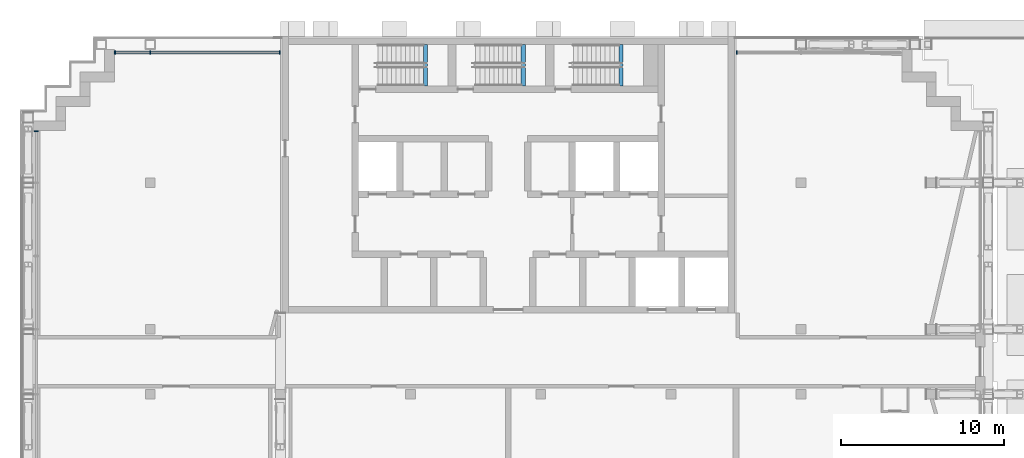
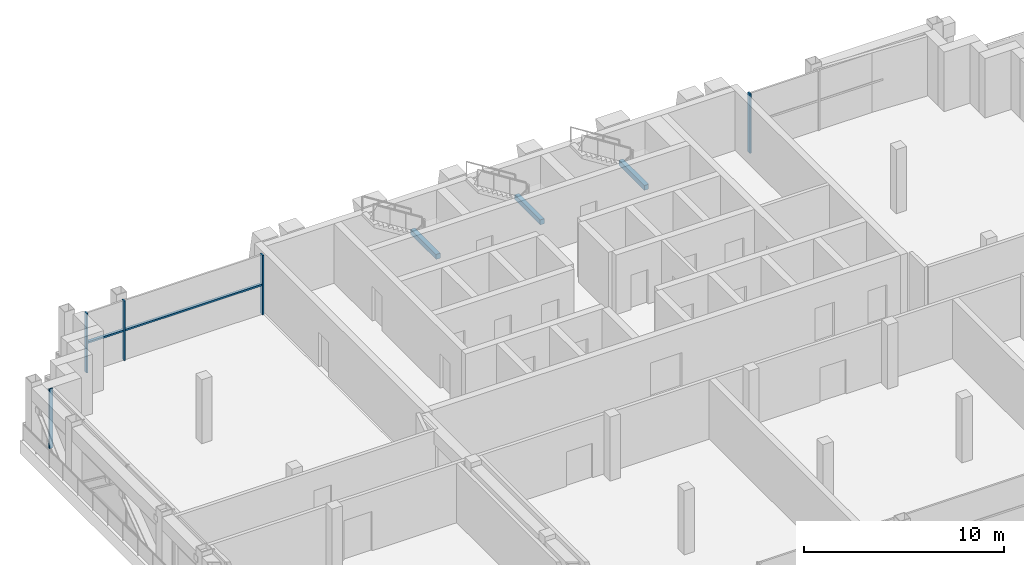
# One storey, part 4 of 21: 7 members, 3 beams, 3 elements without a shape of their own.
"""IFC4 building model written with IfcOpenShell, lengths in metres."""

from ifc_helpers import new_model, si_unit, direction, frame, origin, origin_2d, place, context, subcontext, project, spatial, rectangle, extrude, material, material_profile, profile_set, type_object, element, aggregate, save


model = new_model("IFC4")

# Units and contexts
model_context = context("Model", 3, precision=1e-05, world=origin(), true_north=direction((0.0, 1.0)))
body_context = subcontext(model_context, "Body", "Model", "MODEL_VIEW")
ifc_project = project(units=[si_unit("LENGTHUNIT", "METRE"), si_unit("AREAUNIT", "SQUARE_METRE"), si_unit("VOLUMEUNIT", "CUBIC_METRE"), si_unit("PLANEANGLEUNIT", "RADIAN"), si_unit("MASSUNIT", "GRAM", prefix="KILO")], contexts=[model_context])

# Site, building, storey
site_placement = place(None, origin())
site = spatial("IfcSite", under=ifc_project, at=site_placement, CompositionType="ELEMENT")
building_placement = place(site_placement, origin())
building = spatial("IfcBuilding", under=site, at=building_placement, Name="Vidyagriha Tower", CompositionType="ELEMENT")
storey_placement = place(building_placement, frame((0.0, 0.0, 203.699951171875)))
storey = spatial("IfcBuildingStorey", under=building, at=storey_placement, Name="L52", CompositionType="ELEMENT", Elevation=203.699951171875)

# Curtain wall, member
ifc_material_1 = material(Name="Aluminium and glass curtain wall", Category="aluminium")
curtain_wall_type = type_object("IfcCurtainWallType", Name="Plant louvre wall", PredefinedType="USERDEFINED", material=ifc_material_1)
curtain_wall_1_placement = place(storey_placement, origin())
curtain_wall_1 = element("IfcCurtainWall", 1, at=curtain_wall_1_placement, inside=storey, type_object=curtain_wall_type, Name="CW7 plant louvre wall", ObjectType="STICK GLAZING", PredefinedType="USERDEFINED")
ifc_material_2 = material(Name="Aluminium black anodised", Category="aluminium")
ifc_material_profile_1 = material_profile(ifc_material_2, rectangle(XDim=0.219970703125, YDim=0.080078125, at=origin_2d()), Name="Mullion 80x220 black aluminium")
ifc_profile_set_1 = profile_set([ifc_material_profile_1], Name="Aluminium black anodised")
member_type_1 = type_object("IfcMemberType", Name="Mullion 80x220 black aluminium", PredefinedType="MULLION", material=ifc_profile_set_1)
member_1_placement = place(storey_placement, frame((14.0400390625, 19.0, 0.0), z_axis=(0.0, 0.0, 1.0), x_axis=(0.0, -1.0, 0.0)))
member_1 = element("IfcMember", 2, at=member_1_placement, type_object=member_type_1, Name="CW7 mullion 3", PredefinedType="MULLION", context=body_context, shape_type="SweptSolid", body=[
    extrude(rectangle(XDim=0.219970703125, YDim=0.080078125, at=origin_2d()), origin(), (0.0, 0.0, 1.0), 3.6201171875),
])
aggregate(curtain_wall_1, [member_1])

# Curtain wall, members
curtain_wall_2_placement = place(storey_placement, origin())
curtain_wall_2 = element("IfcCurtainWall", 3, at=curtain_wall_2_placement, inside=storey, type_object=curtain_wall_type, Name="CW7 plant louvre wall", ObjectType="STICK GLAZING", PredefinedType="USERDEFINED")
member_2_placement = place(storey_placement, frame((-14.0400390625, 19.0, 0.0), z_axis=(0.0, 0.0, 1.0), x_axis=(0.0, -1.0, 0.0)))
member_2 = element("IfcMember", 4, at=member_2_placement, type_object=member_type_1, Name="CW7 mullion 1", PredefinedType="MULLION", context=body_context, shape_type="SweptSolid", body=[
    extrude(rectangle(XDim=0.219970703125, YDim=0.080078125, at=origin_2d()), origin(), (0.0, 0.0, 1.0), 3.6201171875),
])
member_3_placement = place(storey_placement, frame((-22.0, 19.0, 0.0), z_axis=(0.0, 0.0, 1.0), x_axis=(0.0, -1.0, 0.0)))
member_3 = element("IfcMember", 5, at=member_3_placement, type_object=member_type_1, Name="CW7 mullion 2", PredefinedType="MULLION", context=body_context, shape_type="SweptSolid", body=[
    extrude(rectangle(XDim=0.219970703125, YDim=0.080078125, at=origin_2d()), origin(), (0.0, 0.0, 1.0), 3.6201171875),
])
member_4_placement = place(storey_placement, frame((-24.159912109375, 19.0, 0.0), z_axis=(0.0, 0.0, 1.0), x_axis=(0.0, -1.0, 0.0)))
member_4 = element("IfcMember", 6, at=member_4_placement, type_object=member_type_1, Name="CW7 mullion 3", PredefinedType="MULLION", context=body_context, shape_type="SweptSolid", body=[
    extrude(rectangle(XDim=0.219970703125, YDim=0.080078125, at=origin_2d()), origin(), (0.0, 0.0, 1.0), 3.6201171875),
])

# Curtain wall, member
curtain_wall_3_placement = place(storey_placement, origin())
curtain_wall_3 = element("IfcCurtainWall", 7, at=curtain_wall_3_placement, inside=storey, type_object=curtain_wall_type, Name="CW7 plant louvre wall", ObjectType="STICK GLAZING", PredefinedType="USERDEFINED")
member_5_placement = place(storey_placement, frame((-29.0, 14.159912109375, 0.0)))
member_5 = element("IfcMember", 8, at=member_5_placement, type_object=member_type_1, Name="CW7 mullion 1", PredefinedType="MULLION", context=body_context, shape_type="SweptSolid", body=[
    extrude(rectangle(XDim=0.219970703125, YDim=0.080078125, at=origin_2d()), origin(), (0.0, 0.0, 1.0), 3.6201171875),
])
aggregate(curtain_wall_3, [member_5])

# Beams
ifc_material_3 = material(Name="Concrete C40/50", Category="concrete")
ifc_material_profile_2 = material_profile(ifc_material_3, rectangle(XDim=0.25, YDim=0.300048828125, at=origin_2d()), Name="Stair landing bearing beam 250x300")
ifc_profile_set_2 = profile_set([ifc_material_profile_2], Name="Concrete C40/50")
beam_type = type_object("IfcBeamType", Name="Stair landing bearing beam 250x300", PredefinedType="BEAM", material=ifc_profile_set_2)
for number, where, z_axis, x_axis, name in (
    (9, (-5.074951171875, 16.949951171875, 1.60009765625), (0.0, 1.0, 0.0), (-1.0, 0.0, 0.0), "ST1 landing bearing beam L52"),
    (10, (0.925048828125, 16.949951171875, 1.60009765625), (0.0, 1.0, 0.0), (-1.0, 0.0, 0.0), "ST2 landing bearing beam L52"),
    (11, (6.925048828125, 16.949951171875, 1.60009765625), (0.0, 1.0, 0.0), (-1.0, 0.0, 0.0), "ST3 landing bearing beam L52"),
):
    element("IfcBeam", number, at=place(storey_placement, frame(where, z_axis=z_axis, x_axis=x_axis)), inside=storey, type_object=beam_type, Name=name, PredefinedType="BEAM", context=body_context, shape_type="SweptSolid", body=[
        extrude(rectangle(XDim=0.25, YDim=0.300048828125, at=origin_2d()), origin(), (0.0, 0.0, 1.0), 2.550048828125),
    ])

# Member
ifc_material_4 = material(Name="Aluminium black anodised", Category="aluminium")
ifc_material_profile_3 = material_profile(ifc_material_4, rectangle(XDim=0.159912109375, YDim=0.10009765625, at=origin_2d()), Name="Transom 100x160 black aluminium")
ifc_profile_set_3 = profile_set([ifc_material_profile_3], Name="Aluminium black anodised")
member_type_2 = type_object("IfcMemberType", Name="Transom 100x160 black aluminium", PredefinedType="USERDEFINED", material=ifc_profile_set_3)
member_6_placement = place(storey_placement, frame((-14.080078125, 19.0, 1.81005859375), z_axis=(-1.0, 0.0, 0.0), x_axis=(0.0, -1.0, 0.0)))
member_6 = element("IfcMember", 12, at=member_6_placement, type_object=member_type_2, Name="CW7 transom 1.1", ObjectType="TRANSOM", PredefinedType="USERDEFINED", context=body_context, shape_type="SweptSolid", body=[
    extrude(rectangle(XDim=0.159912109375, YDim=0.10009765625, at=origin_2d()), origin(), (0.0, 0.0, 1.0), 7.8798828125),
])

member_7_placement = place(storey_placement, frame((-22.0400390625, 19.0, 1.81005859375), z_axis=(-1.0, 0.0, 0.0), x_axis=(0.0, -1.0, 0.0)))
member_7 = element("IfcMember", 13, at=member_7_placement, type_object=member_type_2, Name="CW7 transom 2.1", ObjectType="TRANSOM", PredefinedType="USERDEFINED", context=body_context, shape_type="SweptSolid", body=[
    extrude(rectangle(XDim=0.159912109375, YDim=0.10009765625, at=origin_2d()), origin(), (0.0, 0.0, 1.0), 2.080078125),
])

aggregate(curtain_wall_2, [member_2, member_3, member_4, member_6, member_7])

save(model, "model.ifc")
